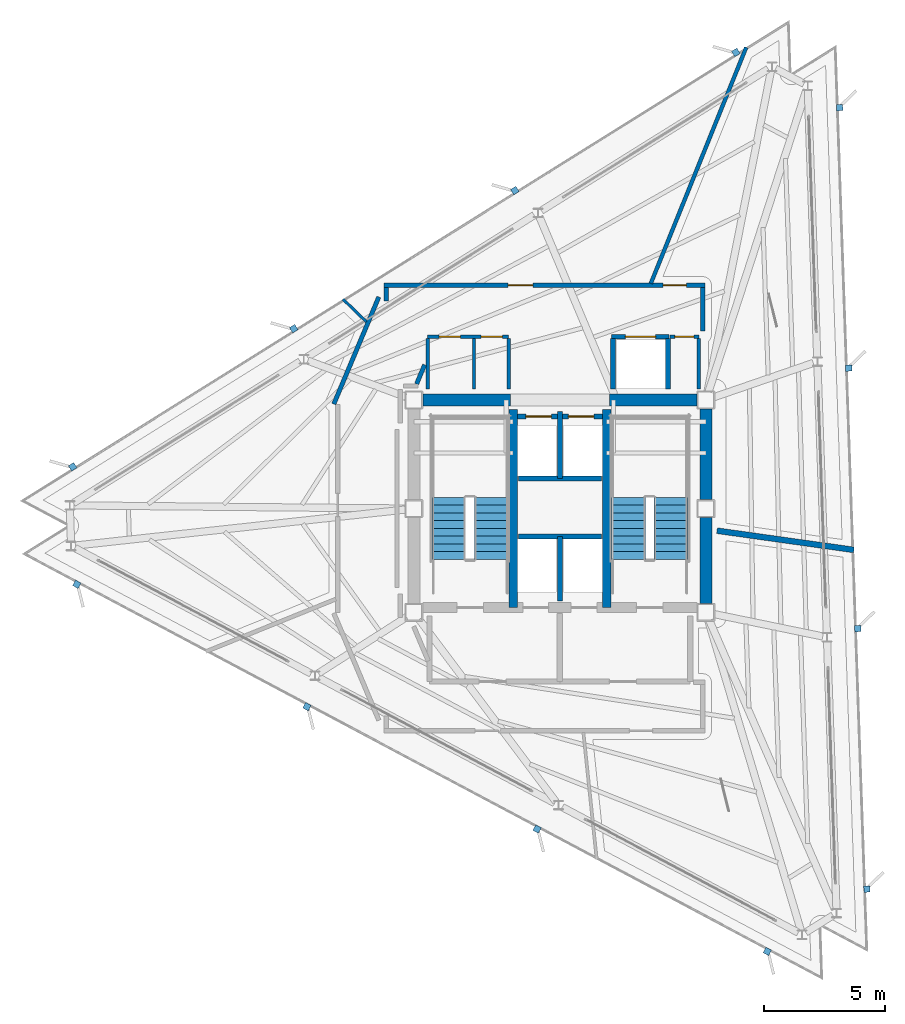
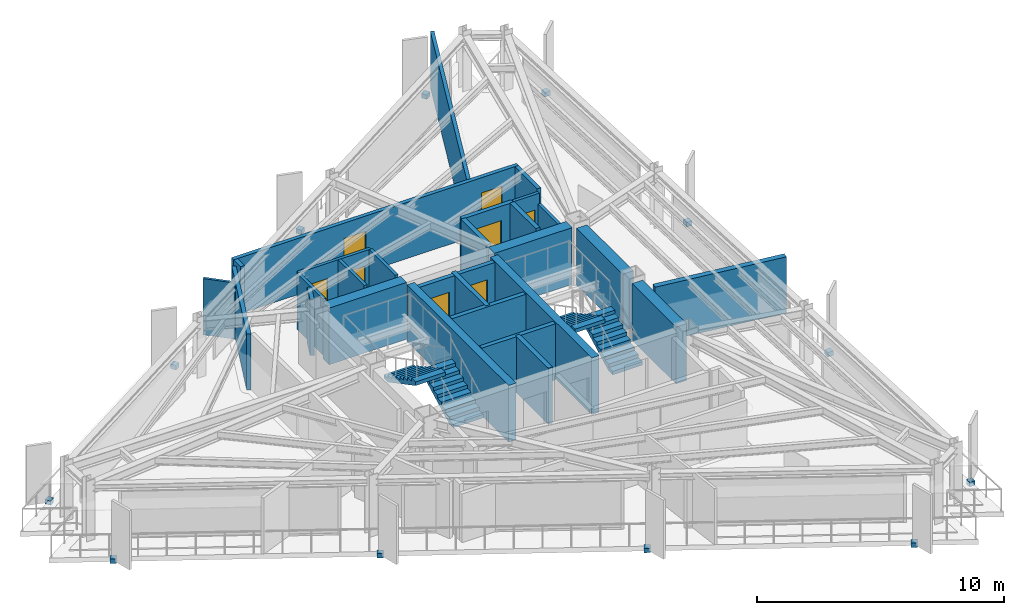
# One storey, part 9 of 12: 28 walls, 12 discrete accessories, 8 doors, 4 stair flights, 8 openings, 2 elements without a shape of their own.
"""IFC4 building model written with IfcOpenShell, lengths in metres."""

import ifcopenshell
import ifcopenshell.guid

model = None  # the IFC model being written
_history = None  # IfcOwnerHistory: only IFC2X3 demands one
_inside = {}  # id of a spatial element -> (the spatial element, [elements in it])
_under = {}  # id of a project, library or spatial element -> (it, [spatial elements below it])
_declared = {}  # id of a project -> (the project, [libraries it declares])
_typed = {}  # id of a type object -> (the type object, [elements of that type])
_made_of = {}  # id of a material, layer set ... -> (it, [elements and type objects made of it])


def new_model(schema):
    """Start an empty IFC model of exactly this schema.

    Asked for "IFC4X3", IfcOpenShell would pick the latest addendum, in which some entities
    have other attributes; the version numbers below select the first issue.
    IFC2X3 requires an IfcOwnerHistory on every rooted entity: one is made here for all.
    """
    global model, _history
    if schema == "IFC4X3":
        model = ifcopenshell.file(schema_version=(4, 3, 0, 0))
    else:
        model = ifcopenshell.file(schema=schema)
    _inside.clear()
    _under.clear()
    _declared.clear()
    _typed.clear()
    _made_of.clear()
    _history = None
    if model.schema == "IFC2X3":
        org = make("IfcOrganization", Name="unknown")
        user = make(
            "IfcPersonAndOrganization",
            ThePerson=make("IfcPerson", FamilyName="unknown"),
            TheOrganization=org,
        )
        app = make(
            "IfcApplication",
            ApplicationDeveloper=org,
            Version="unknown",
            ApplicationFullName="unknown",
            ApplicationIdentifier="unknown",
        )
        _history = make(
            "IfcOwnerHistory",
            OwningUser=user,
            OwningApplication=app,
            ChangeAction="ADDED",
            CreationDate=0,
        )
    return model


def make(cls, **values):
    """One entity of the class cls with the attributes given. An attribute that is None is left unset."""
    return model.create_entity(
        cls, **{name: value for name, value in values.items() if value is not None}
    )


def rooted(cls, **values):
    """An entity with a GlobalId (a new one), such as an element, a storey or a relation."""
    return make(cls, GlobalId=ifcopenshell.guid.new(), OwnerHistory=_history, **values)


def si_unit(unit_type, name, prefix=None):
    """IfcSIUnit, for example si_unit("LENGTHUNIT", "METRE", prefix="MILLI")."""
    return make("IfcSIUnit", UnitType=unit_type, Prefix=prefix, Name=name)


def assignment(units):
    """IfcUnitAssignment: the units of a project."""
    return None if units is None else make("IfcUnitAssignment", Units=units)


def point(xyz):
    """IfcCartesianPoint."""
    return None if xyz is None else make("IfcCartesianPoint", Coordinates=xyz)


def direction(xyz):
    """IfcDirection."""
    return None if xyz is None else make("IfcDirection", DirectionRatios=xyz)


def frame(location, z_axis=None, x_axis=None):
    """IfcAxis2Placement3D, a coordinate frame: its origin and axes. An axis left out is left unset."""
    return make(
        "IfcAxis2Placement3D",
        Location=point(location),
        Axis=direction(z_axis),
        RefDirection=direction(x_axis),
    )


def frame_2d(location, x_axis=None):
    """IfcAxis2Placement2D, a coordinate frame in the plane: its origin and x axis."""
    return make(
        "IfcAxis2Placement2D", Location=point(location), RefDirection=direction(x_axis)
    )


def origin():
    """The frame at (0, 0, 0) with its axes left unset."""
    return frame((0.0, 0.0, 0.0))


def origin_2d():
    """The frame at (0, 0) in the plane with its x axis left unset."""
    return frame_2d((0.0, 0.0))


def place(relative_to, where):
    """IfcLocalPlacement: puts the frame where relative to a parent placement (None: the world)."""
    return make(
        "IfcLocalPlacement", PlacementRelTo=relative_to, RelativePlacement=where
    )


def context(
    kind, dimensions, precision=None, world=None, true_north=None, identifier=None
):
    """IfcGeometricRepresentationContext, for example the 3D "Model" context."""
    return make(
        "IfcGeometricRepresentationContext",
        ContextIdentifier=identifier,
        ContextType=kind,
        CoordinateSpaceDimension=dimensions,
        Precision=precision,
        WorldCoordinateSystem=world,
        TrueNorth=true_north,
    )


def subcontext(parent, identifier, kind, view, scale=None):
    """IfcGeometricRepresentationSubContext, for example "Body" below "Model"."""
    return make(
        "IfcGeometricRepresentationSubContext",
        ContextIdentifier=identifier,
        ContextType=kind,
        ParentContext=parent,
        TargetScale=scale,
        TargetView=view,
    )


def project(units=None, contexts=None):
    """IfcProject with its units and contexts."""
    return rooted(
        "IfcProject",
        Name="project",
        RepresentationContexts=contexts,
        UnitsInContext=assignment(units),
    )


def spatial(cls, under=None, at=None, **own):
    """A site, building, storey or space (cls), placed at a placement, below another one or the project."""
    s = rooted(cls, ObjectPlacement=at, **own)
    if under is not None:
        _under.setdefault(under.id(), (under, []))[1].append(s)
    return s


def polyline(points):
    """IfcPolyline through the points."""
    return make("IfcPolyline", Points=[point(p) for p in points])


def profile(cls, at=None, kind="AREA", **sizes):
    """A parametric profile (cls). Its sizes go by their IFC names, for example OverallWidth=200.0."""
    return make(cls, ProfileType=kind, Position=at, **sizes)


def rectangle(**sizes):
    """IfcRectangleProfileDef."""
    return profile("IfcRectangleProfileDef", **sizes)


def outline(outer, holes=None, kind="AREA"):
    """IfcArbitraryClosedProfileDef: a profile drawn as a closed curve; with holes, ...WithVoids."""
    if holes is None:
        return make("IfcArbitraryClosedProfileDef", ProfileType=kind, OuterCurve=outer)
    return make(
        "IfcArbitraryProfileDefWithVoids",
        ProfileType=kind,
        OuterCurve=outer,
        InnerCurves=holes,
    )


def extrude(swept, where, along, depth):
    """IfcExtrudedAreaSolid: the profile swept, set in the frame where, extruded along a direction by depth."""
    return make(
        "IfcExtrudedAreaSolid",
        SweptArea=swept,
        Position=where,
        ExtrudedDirection=direction(along),
        Depth=depth,
    )


def shape(context_of_items, identifier, shape_type, items):
    """IfcShapeRepresentation: the items that make up one representation, for example the "Body"."""
    return make(
        "IfcShapeRepresentation",
        ContextOfItems=context_of_items,
        RepresentationIdentifier=identifier,
        RepresentationType=shape_type,
        Items=items,
    )


def material(Name=None, Category=None):
    """IfcMaterial."""
    return make("IfcMaterial", Name=Name, Category=Category)


def layer(
    of_material, thickness, ventilated=None, Name=None, Category=None, Priority=None
):
    """IfcMaterialLayer: one layer of a wall or slab, of a material (None: an air gap)."""
    return make(
        "IfcMaterialLayer",
        Material=of_material,
        LayerThickness=thickness,
        IsVentilated=ventilated,
        Name=Name,
        Category=Category,
        Priority=Priority,
    )


def layer_set(layers, Name=None):
    """IfcMaterialLayerSet."""
    return make("IfcMaterialLayerSet", MaterialLayers=layers, LayerSetName=Name)


def made_of(thing, what):
    """Note that an element or type object is made of a material, layer set ...; save() writes the relation."""
    if what is not None:
        _made_of.setdefault(what.id(), (what, []))[1].append(thing)
    return thing


def type_object(cls, material=None, **own):
    """A type object (cls), such as IfcWallType, which elements share."""
    return made_of(rooted(cls, **own), material)


def element(
    cls,
    number,
    at=None,
    inside=None,
    cuts=None,
    type_object=None,
    material=None,
    context=None,
    identifier="Body",
    shape_type=None,
    held_by="IfcProductDefinitionShape",
    body=None,
    shapes=None,
    **own,
):
    """One element of the class cls, such as IfcWall. Its Tag is "e" and its number.

    at: its placement. inside: the storey or other place that contains it. cuts: it is an
    opening in that element (IfcRelVoidsElement). A single representation is given by context,
    identifier, shape_type and body (its items); several are given by shapes. held_by: the class
    of the entity that holds the representations. save() writes the other relations.
    """
    e = rooted(cls, Tag="e%d" % number, ObjectPlacement=at, **own)
    if body is not None:
        shapes = [shape(context, identifier, shape_type, body)]
    if shapes is not None:
        e.Representation = make(held_by, Representations=shapes)
    if inside is not None:
        _inside.setdefault(inside.id(), (inside, []))[1].append(e)
    if cuts is not None:
        rooted(
            "IfcRelVoidsElement", RelatingBuildingElement=cuts, RelatedOpeningElement=e
        )
    if type_object is not None:
        _typed.setdefault(type_object.id(), (type_object, []))[1].append(e)
    return made_of(e, material)


def fill(opening, filler):
    """IfcRelFillsElement: the door or window that sits in an opening."""
    return rooted(
        "IfcRelFillsElement",
        RelatingOpeningElement=opening,
        RelatedBuildingElement=filler,
    )


def aggregate(whole, parts):
    """IfcRelAggregates: a whole, such as a stair, and the parts it consists of."""
    return rooted("IfcRelAggregates", RelatingObject=whole, RelatedObjects=parts)


def save(model, path):
    """Write the relations noted so far, then the file.

    IfcRelAggregates (storeys below a building ...), IfcRelContainedInSpatialStructure (elements
    in a storey), IfcRelDefinesByType, IfcRelAssociatesMaterial and IfcRelDeclares: one each for
    every whole, place, type object, material and project.
    """
    for whole, parts in _under.values():
        aggregate(whole, parts)
    for where, things in _inside.values():
        rooted(
            "IfcRelContainedInSpatialStructure",
            RelatedElements=things,
            RelatingStructure=where,
        )
    for kind, things in _typed.values():
        rooted("IfcRelDefinesByType", RelatedObjects=things, RelatingType=kind)
    for what, things in _made_of.values():
        rooted("IfcRelAssociatesMaterial", RelatedObjects=things, RelatingMaterial=what)
    for by, libraries in _declared.values():
        rooted("IfcRelDeclares", RelatingContext=by, RelatedDefinitions=libraries)
    model.write(path)


model = new_model("IFC4")

# Units and contexts
model_context = context("Model", 3, precision=1e-05, world=origin(), true_north=direction((0.0, 1.0)))
body_context = subcontext(model_context, "Body", "Model", "MODEL_VIEW")
ifc_project = project(units=[si_unit("LENGTHUNIT", "METRE"), si_unit("AREAUNIT", "SQUARE_METRE"), si_unit("VOLUMEUNIT", "CUBIC_METRE"), si_unit("PLANEANGLEUNIT", "RADIAN"), si_unit("MASSUNIT", "GRAM", prefix="KILO")], contexts=[model_context])

# Site, building, storey
site_placement = place(None, origin())
site = spatial("IfcSite", under=ifc_project, at=site_placement, CompositionType="ELEMENT")
building_placement = place(site_placement, origin())
building = spatial("IfcBuilding", under=site, at=building_placement, Name="Rocaltana Carrier Exchange", CompositionType="ELEMENT")
storey_placement = place(building_placement, frame((0.0, 0.0, 205.760009765625)))
storey = spatial("IfcBuildingStorey", under=building, at=storey_placement, Name="L65", CompositionType="ELEMENT", Elevation=205.760009765625)

# Walls
ifc_material_1 = material(Name="Double Acoustic Gypsum Partition", Category="gypsum")
ifc_layer_1 = layer(ifc_material_1, 0.159912109375)
ifc_layer_set_1 = layer_set([ifc_layer_1], Name="Double Acoustic Gypsum Partition")
wall_type_1 = type_object("IfcWallType", Name="Acoustic Studio Partition 160 EI60", PredefinedType="PARTITIONING", material=ifc_layer_set_1)
wall_1_placement = place(storey_placement, frame((3.76953125, 9.330078125, 0.0), z_axis=(0.0, 0.0, 1.0), x_axis=(0.374613070454, 0.927181237647, 0.0)))
element("IfcWall", 1, at=wall_1_placement, inside=storey, type_object=wall_type_1, Name="L65 Suite Divider Wall D4", PredefinedType="PARTITIONING", context=body_context, shape_type="SweptSolid", body=[
    extrude(rectangle(XDim=10.54736328125, YDim=0.159912109375, at=frame_2d((5.273681640625, 0.0))), origin(), (0.0, 0.0, 1.0), 2.77294921875),
])
ifc_material_2 = material(Name="Concrete C50/60", Category="concrete")
ifc_layer_2 = layer(ifc_material_2, 0.35009765625)
ifc_layer_set_2 = layer_set([ifc_layer_2], Name="Concrete C50/60")
wall_type_2 = type_object("IfcWallType", Name="Core Internal Shear Wall 350", PredefinedType="SHEAR", material=ifc_layer_set_2)
for number, where, z_axis, x_axis, name in (
    (2, (-1.93994140625, -4.10009765625, 0.0), (0.0, 0.0, 1.0), (0.0, 1.0, 0.0), "L65 Core Shear Wall CW-STW"),
    (3, (1.93994140625, -4.10009765625, 0.0), (0.0, 0.0, 1.0), (0.0, 1.0, 0.0), "L65 Core Shear Wall CW-STE"),
):
    element("IfcWall", number, at=place(storey_placement, frame(where, z_axis=z_axis, x_axis=x_axis)), inside=storey, type_object=wall_type_2, Name=name, PredefinedType="SHEAR", context=body_context, shape_type="SweptSolid", body=[
        extrude(rectangle(XDim=8.2001953125, YDim=0.35009765625, at=frame_2d((4.10009765625, 0.0))), origin(), (0.0, 0.0, 1.0), 2.798095703125),
    ])
ifc_material_3 = material(Name="Concrete C50/60", Category="concrete")
ifc_layer_3 = layer(ifc_material_3, 0.5)
ifc_layer_set_3 = layer_set([ifc_layer_3], Name="Concrete C50/60")
wall_type_3 = type_object("IfcWallType", Name="Core Shear Wall 500", PredefinedType="SHEAR", material=ifc_layer_set_3)
wall_2_placement = place(storey_placement, frame((6.050048828125, 0.375, 0.0), z_axis=(0.0, 0.0, 1.0), x_axis=(0.0, 1.0, 0.0)))
element("IfcWall", 4, at=wall_2_placement, inside=storey, type_object=wall_type_3, Name="L65 Core Shear Wall CW-EN", PredefinedType="SHEAR", context=body_context, shape_type="SweptSolid", body=[
    extrude(rectangle(XDim=3.75, YDim=0.5, at=frame_2d((1.875, 0.0))), origin(), (0.0, 0.0, 1.0), 2.798095703125),
])
wall_3_placement = place(storey_placement, frame((6.050048828125, -3.925048828125, 0.0), z_axis=(0.0, 0.0, 1.0), x_axis=(0.0, 1.0, 0.0)))
element("IfcWall", 5, at=wall_3_placement, inside=storey, type_object=wall_type_3, Name="L65 Core Shear Wall CW-ES", PredefinedType="SHEAR", context=body_context, shape_type="SweptSolid", body=[
    extrude(rectangle(XDim=3.550048828125, YDim=0.5, at=frame_2d((1.77490234375, 0.0))), origin(), (0.0, 0.0, 1.0), 2.798095703125),
])
for number, where, z_axis, x_axis, name in (
    (6, (-5.675048828125, 4.5, 0.0), (0.0, 0.0, 1.0), (1.0, 0.0, 0.0), "L65 Core Shear Wall CW-N1"),
    (7, (2.050048828125, 4.5, 0.0), (0.0, 0.0, 1.0), (1.0, 0.0, 0.0), "L65 Core Shear Wall CW-N2"),
):
    element("IfcWall", number, at=place(storey_placement, frame(where, z_axis=z_axis, x_axis=x_axis)), inside=storey, type_object=wall_type_3, Name=name, PredefinedType="SHEAR", context=body_context, shape_type="SweptSolid", body=[
        extrude(rectangle(XDim=3.625, YDim=0.5, at=frame_2d((1.8125, 0.0))), origin(), (0.0, 0.0, 1.0), 2.798095703125),
    ])
ifc_material_4 = material(Name="Gypsum & Steel Stud Partition", Category="steel")
ifc_layer_4 = layer(ifc_material_4, 0.179931640625)
ifc_layer_set_4 = layer_set([ifc_layer_4], Name="Gypsum & Steel Stud Partition")
wall_type_4 = type_object("IfcWallType", Name="Corridor Fire Partition 180 EI60", PredefinedType="PARTITIONING", material=ifc_layer_set_4)
wall_4_placement = place(storey_placement, frame((-9.36669921875, 4.331787109375, 0.0), z_axis=(0.0, 0.0, 1.0), x_axis=(0.387573945081, 0.921838617706, 0.0)))
element("IfcWall", 8, at=wall_4_placement, inside=storey, type_object=wall_type_4, Name="L65 Corridor Partition 3", PredefinedType="PARTITIONING", context=body_context, shape_type="SweptSolid", body=[
    extrude(rectangle(XDim=4.813232421875, YDim=0.179931640625, at=frame_2d((2.40673828125, 0.0))), origin(), (0.0, 0.0, 1.0), 2.77294921875),
])
wall_5_placement = place(storey_placement, frame((-7.199951171875, 8.6005859375, 0.0), z_axis=(0.0, 0.0, 1.0), x_axis=(0.0, 1.0, 0.0)))
element("IfcWall", 9, at=wall_5_placement, inside=storey, type_object=wall_type_4, Name="L65 Corridor Partition 4", PredefinedType="PARTITIONING", context=body_context, shape_type="SweptSolid", body=[
    extrude(rectangle(XDim=0.559326171875, YDim=0.179931640625, at=frame_2d((0.27978515625, 0.0))), origin(), (0.0, 0.0, 1.0), 2.77294921875),
])

# Wall, openings, doors
wall_6_placement = place(storey_placement, frame((-7.2900390625, 9.25, 0.0), z_axis=(0.0, 0.0, 1.0), x_axis=(1.0, 0.0, 0.0)))
wall_6 = element("IfcWall", 10, at=wall_6_placement, inside=storey, type_object=wall_type_4, Name="L65 Corridor Partition 5", PredefinedType="PARTITIONING", context=body_context, shape_type="SweptSolid", body=[
    extrude(rectangle(XDim=13.300048828125, YDim=0.179931640625, at=frame_2d((6.64990234375, 0.0))), origin(), (0.0, 0.0, 1.0), 2.77294921875),
])
opening_1_placement = place(wall_6_placement, frame((11.57275390625, 0.0, 0.0)))
opening_1 = element("IfcOpeningElement", 11, at=opening_1_placement, cuts=wall_6, Name="Opening D-RM098", PredefinedType="OPENING", context=body_context, shape_type="SweptSolid", body=[
    extrude(rectangle(XDim=0.9599609375, YDim=2.02001953125, at=frame_2d((0.47998046875, 1.010009765625))), frame((0.0, 0.099853515625, 0.0), z_axis=(0.0, -1.0, 0.0), x_axis=(1.0, 0.0, 0.0)), (0.0, 0.0, 1.0), 0.199951171875),
])
opening_2_placement = place(wall_6_placement, frame((5.149169921875, 0.0, 0.0)))
opening_2 = element("IfcOpeningElement", 12, at=opening_2_placement, cuts=wall_6, Name="Opening D-LB104", PredefinedType="OPENING", context=body_context, shape_type="SweptSolid", body=[
    extrude(rectangle(XDim=1.02001953125, YDim=2.02001953125, at=frame_2d((0.510009765625, 1.010009765625))), frame((0.0, 0.099853515625, 0.0), z_axis=(0.0, -1.0, 0.0), x_axis=(1.0, 0.0, 0.0)), (0.0, 0.0, 1.0), 0.199951171875),
])
ifc_material_5 = material(Name="Powder-Coated Aluminium 6063-T6", Category="aluminium")
door_type_1 = type_object("IfcDoorType", Name="Laboratory Acoustic Door 1020x2020", OperationType="NOTDEFINED", PredefinedType="DOOR", material=ifc_material_5)
door_1_placement = place(opening_2_placement, origin())
door_1 = element("IfcDoor", 13, at=door_1_placement, inside=storey, type_object=door_type_1, Name="L65 Optical Switching Laboratory Entrance Door", OperationType="SINGLE_SWING_RIGHT", OverallHeight=2.02001953125, OverallWidth=1.02001953125, PredefinedType="DOOR", context=body_context, shape_type="SweptSolid", body=[
    extrude(rectangle(XDim=1.02001953125, YDim=2.02001953125, at=frame_2d((0.510009765625, 1.010009765625))), frame((0.0, 0.02490234375, 0.0), z_axis=(0.0, -1.0, 0.0), x_axis=(1.0, 0.0, 0.0)), (0.0, 0.0, 1.0), 0.050048828125),
])
fill(opening_2, door_1)
ifc_material_6 = material(Name="Engineered Hardwood Timber", Category="wood")
door_type_2 = type_object("IfcDoorType", Name="Workspace Single Door 960x2020", OperationType="NOTDEFINED", PredefinedType="DOOR", material=ifc_material_6)
door_2_placement = place(opening_1_placement, origin())
door_2 = element("IfcDoor", 14, at=door_2_placement, inside=storey, type_object=door_type_2, Name="L65 Cloud Architecture Office Entrance Door", OperationType="SINGLE_SWING_LEFT", OverallHeight=2.02001953125, OverallWidth=0.9599609375, PredefinedType="DOOR", context=body_context, shape_type="SweptSolid", body=[
    extrude(rectangle(XDim=0.9599609375, YDim=2.02001953125, at=frame_2d((0.47998046875, 1.010009765625))), frame((0.0, 0.02490234375, 0.0), z_axis=(0.0, -1.0, 0.0), x_axis=(1.0, 0.0, 0.0)), (0.0, 0.0, 1.0), 0.050048828125),
])
fill(opening_1, door_2)

# Walls
wall_7_placement = place(storey_placement, frame((5.919921875, 9.159912109375, 0.0), z_axis=(0.0, 0.0, 1.0), x_axis=(0.0, -1.0, 0.0)))
element("IfcWall", 15, at=wall_7_placement, inside=storey, type_object=wall_type_4, Name="L65 Corridor Partition 6", PredefinedType="PARTITIONING", context=body_context, shape_type="SweptSolid", body=[
    extrude(rectangle(XDim=1.7998046875, YDim=0.179931640625, at=frame_2d((0.89990234375, 0.0))), origin(), (0.0, 0.0, 1.0), 2.77294921875),
])
wall_8_placement = place(storey_placement, frame((-5.602294921875, 5.9580078125, 0.0), z_axis=(0.0, 0.0, 1.0), x_axis=(-0.387588639363, -0.921832439566, 0.0)))
element("IfcWall", 16, at=wall_8_placement, inside=storey, type_object=wall_type_4, Name="L65 Corridor Partition 8", PredefinedType="PARTITIONING", context=body_context, shape_type="SweptSolid", body=[
    extrude(rectangle(XDim=0.8623046875, YDim=0.179931640625, at=frame_2d((0.43115234375, 0.0))), origin(), (0.0, 0.0, 1.0), 2.77294921875),
])
ifc_material_7 = material(Name="Aluminium 6063-T6 & Acoustic Glass", Category="aluminium")
ifc_layer_5 = layer(ifc_material_7, 0.114990234375)
ifc_layer_set_5 = layer_set([ifc_layer_5], Name="Aluminium 6063-T6 & Acoustic Glass")
wall_type_5 = type_object("IfcWallType", Name="Demountable Glazed Lab Partition 115", PredefinedType="MOVABLE", material=ifc_layer_set_5)
wall_9_placement = place(storey_placement, frame((-8.01904296875, 7.743896484375, 0.0), z_axis=(0.0, 0.0, 1.0), x_axis=(-0.719319685721, 0.694679199151, 0.0)))
element("IfcWall", 17, at=wall_9_placement, inside=storey, type_object=wall_type_5, Name="L65 Suite Divider Wall D5", PredefinedType="MOVABLE", context=body_context, shape_type="SweptSolid", body=[
    extrude(rectangle(XDim=1.337646484375, YDim=0.114990234375, at=frame_2d((0.6689453125, 0.0))), origin(), (0.0, 0.0, 1.0), 2.77294921875),
])
ifc_material_8 = material(Name="Acoustic Calcium Silicate Partition", Category="gypsum")
ifc_layer_6 = layer(ifc_material_8, 0.239990234375)
ifc_layer_set_6 = layer_set([ifc_layer_6], Name="Acoustic Calcium Silicate Partition")
wall_type_6 = type_object("IfcWallType", Name="Heavy Lab Partition 240 EI90", PredefinedType="PARTITIONING", material=ifc_layer_set_6)
wall_10_placement = place(storey_placement, frame((6.510009765625, -0.914794921875, 0.0), z_axis=(0.0, 0.0, 1.0), x_axis=(0.990267505523, -0.139177108413, 0.0)))
element("IfcWall", 18, at=wall_10_placement, inside=storey, type_object=wall_type_6, Name="L65 Suite Divider Wall D3", PredefinedType="PARTITIONING", context=body_context, shape_type="SweptSolid", body=[
    extrude(rectangle(XDim=5.727294921875, YDim=0.239990234375, at=frame_2d((2.86376953125, 0.0))), origin(), (0.0, 0.0, 1.0), 2.77294921875),
])
ifc_material_9 = material(Name="Reinforced Concrete Block C35/45", Category="concrete")
ifc_layer_7 = layer(ifc_material_9, 0.199951171875)
ifc_layer_set_7 = layer_set([ifc_layer_7], Name="Reinforced Concrete Block C35/45")
wall_type_7 = type_object("IfcWallType", Name="Lift Hoistway Enclosure Wall 200 EI120", PredefinedType="PARTITIONING", material=ifc_layer_set_7)
wall_11_placement = place(storey_placement, frame((0.0, -3.820068359375, 0.0), z_axis=(0.0, 0.0, 1.0), x_axis=(0.0, 1.0, 0.0)))
element("IfcWall", 19, at=wall_11_placement, inside=storey, type_object=wall_type_7, Name="L65 FFL Shaft Divider", PredefinedType="PARTITIONING", context=body_context, shape_type="SweptSolid", body=[
    extrude(rectangle(XDim=2.670166015625, YDim=0.199951171875, at=frame_2d((1.3349609375, 0.0))), origin(), (0.0, 0.0, 1.0), 2.77294921875),
])
wall_12_placement = place(storey_placement, frame((-1.719970703125, -1.14990234375, 0.0), z_axis=(0.0, 0.0, 1.0), x_axis=(1.0, 0.0, 0.0)))
element("IfcWall", 20, at=wall_12_placement, inside=storey, type_object=wall_type_7, Name="L65 FFL Shaft Back Wall", PredefinedType="PARTITIONING", context=body_context, shape_type="SweptSolid", body=[
    extrude(rectangle(XDim=3.43994140625, YDim=0.199951171875, at=frame_2d((1.719970703125, 0.0))), origin(), (0.0, 0.0, 1.0), 2.77294921875),
])
wall_13_placement = place(storey_placement, frame((0.0, 1.25, 0.0), z_axis=(0.0, 0.0, 1.0), x_axis=(0.0, 1.0, 0.0)))
element("IfcWall", 21, at=wall_13_placement, inside=storey, type_object=wall_type_7, Name="L65 High-Rise Shaft Divider", PredefinedType="PARTITIONING", context=body_context, shape_type="SweptSolid", body=[
    extrude(rectangle(XDim=2.77001953125, YDim=0.199951171875, at=frame_2d((1.385009765625, 0.0))), origin(), (0.0, 0.0, 1.0), 2.77294921875),
])
wall_14_placement = place(storey_placement, frame((-1.719970703125, 1.25, 0.0), z_axis=(0.0, 0.0, 1.0), x_axis=(1.0, 0.0, 0.0)))
element("IfcWall", 22, at=wall_14_placement, inside=storey, type_object=wall_type_7, Name="L65 High-Rise Shaft Back Wall", PredefinedType="PARTITIONING", context=body_context, shape_type="SweptSolid", body=[
    extrude(rectangle(XDim=3.43994140625, YDim=0.199951171875, at=frame_2d((1.719970703125, 0.0))), origin(), (0.0, 0.0, 1.0), 2.77294921875),
])

# Wall, openings, doors
wall_15_placement = place(storey_placement, frame((-1.760009765625, 3.820068359375, 0.0), z_axis=(0.0, 0.0, 1.0), x_axis=(1.0, 0.0, 0.0)))
wall_15 = element("IfcWall", 23, at=wall_15_placement, inside=storey, type_object=wall_type_7, Name="L65 High-Rise Lift Front Wall", PredefinedType="PARTITIONING", context=body_context, shape_type="SweptSolid", body=[
    extrude(rectangle(XDim=3.52001953125, YDim=0.199951171875, at=frame_2d((1.760009765625, 0.0))), origin(), (0.0, 0.0, 1.0), 2.77294921875),
])
opening_3_placement = place(wall_15_placement, frame((0.35009765625, 0.0, 0.0)))
opening_3 = element("IfcOpeningElement", 24, at=opening_3_placement, cuts=wall_15, Name="Opening LD-110", PredefinedType="OPENING", context=body_context, shape_type="SweptSolid", body=[
    extrude(rectangle(XDim=1.06005859375, YDim=2.0400390625, at=frame_2d((0.530029296875, 1.02001953125))), frame((0.0, 0.10986328125, 0.0), z_axis=(0.0, -1.0, 0.0), x_axis=(1.0, 0.0, 0.0)), (0.0, 0.0, 1.0), 0.219970703125),
])
opening_4_placement = place(wall_15_placement, frame((2.110107421875, 0.0, 0.0)))
opening_4 = element("IfcOpeningElement", 25, at=opening_4_placement, cuts=wall_15, Name="Opening LD-110", PredefinedType="OPENING", context=body_context, shape_type="SweptSolid", body=[
    extrude(rectangle(XDim=1.06005859375, YDim=2.0400390625, at=frame_2d((0.530029296875, 1.02001953125))), frame((0.0, 0.10986328125, 0.0), z_axis=(0.0, -1.0, 0.0), x_axis=(1.0, 0.0, 0.0)), (0.0, 0.0, 1.0), 0.219970703125),
])
ifc_material_10 = material(Name="Brushed Stainless Sliding Door Leaf", Category="steel")
door_type_3 = type_object("IfcDoorType", Name="Lift Landing Sliding Door 1060x2040", OperationType="NOTDEFINED", PredefinedType="DOOR", material=ifc_material_10)
door_3_placement = place(opening_3_placement, origin())
door_3 = element("IfcDoor", 26, at=door_3_placement, inside=storey, type_object=door_type_3, Name="L65 High-Rise Lift PLH1 Landing Door", OperationType="SLIDING_TO_LEFT", OverallHeight=2.0400390625, OverallWidth=1.06005859375, PredefinedType="DOOR", context=body_context, shape_type="SweptSolid", body=[
    extrude(rectangle(XDim=1.06005859375, YDim=2.0400390625, at=frame_2d((0.530029296875, 1.02001953125))), frame((0.0, 0.02490234375, 0.0), z_axis=(0.0, -1.0, 0.0), x_axis=(1.0, 0.0, 0.0)), (0.0, 0.0, 1.0), 0.050048828125),
])
fill(opening_3, door_3)
door_4_placement = place(opening_4_placement, origin())
door_4 = element("IfcDoor", 27, at=door_4_placement, inside=storey, type_object=door_type_3, Name="L65 High-Rise Lift PLH2 Landing Door", OperationType="SLIDING_TO_RIGHT", OverallHeight=2.0400390625, OverallWidth=1.06005859375, PredefinedType="DOOR", context=body_context, shape_type="SweptSolid", body=[
    extrude(rectangle(XDim=1.06005859375, YDim=2.0400390625, at=frame_2d((0.530029296875, 1.02001953125))), frame((0.0, 0.02490234375, 0.0), z_axis=(0.0, -1.0, 0.0), x_axis=(1.0, 0.0, 0.0)), (0.0, 0.0, 1.0), 0.050048828125),
])
fill(opening_4, door_4)

# Walls
for number, where, z_axis, x_axis, name in (
    (28, (2.199951171875, 4.949951171875, 0.0), (0.0, 0.0, 1.0), (0.0, 1.0, 0.0), "L65 Goods Lift West Wall"),
    (29, (4.47998046875, 4.949951171875, 0.0), (0.0, 0.0, 1.0), (0.0, 1.0, 0.0), "L65 Goods Lift East Wall"),
):
    element("IfcWall", number, at=place(storey_placement, frame(where, z_axis=z_axis, x_axis=x_axis)), inside=storey, type_object=wall_type_7, Name=name, PredefinedType="PARTITIONING", context=body_context, shape_type="SweptSolid", body=[
        extrude(rectangle(XDim=2.10009765625, YDim=0.199951171875, at=frame_2d((1.050048828125, 0.0))), origin(), (0.0, 0.0, 1.0), 2.77294921875),
    ])

# Wall, opening, door
wall_16_placement = place(storey_placement, frame((2.14990234375, 7.1201171875, 0.0), z_axis=(0.0, 0.0, 1.0), x_axis=(1.0, 0.0, 0.0)))
wall_16 = element("IfcWall", 30, at=wall_16_placement, inside=storey, type_object=wall_type_7, Name="L65 Goods Lift Front Wall", PredefinedType="PARTITIONING", context=body_context, shape_type="SweptSolid", body=[
    extrude(rectangle(XDim=2.380126953125, YDim=0.199951171875, at=frame_2d((1.18994140625, 0.0))), origin(), (0.0, 0.0, 1.0), 2.77294921875),
])
opening_5_placement = place(wall_16_placement, frame((0.56005859375, 0.0, 0.0)))
opening_5 = element("IfcOpeningElement", 31, at=opening_5_placement, cuts=wall_16, Name="Opening LD-130", PredefinedType="OPENING", context=body_context, shape_type="SweptSolid", body=[
    extrude(rectangle(XDim=1.260009765625, YDim=2.06005859375, at=frame_2d((0.6298828125, 1.030029296875))), frame((0.0, 0.10986328125, 0.0), z_axis=(0.0, -1.0, 0.0), x_axis=(1.0, 0.0, 0.0)), (0.0, 0.0, 1.0), 0.219970703125),
])
ifc_material_11 = material(Name="Brushed Stainless Sliding Door Leaf", Category="steel")
door_type_4 = type_object("IfcDoorType", Name="Goods Lift Landing Sliding Door 1260x2060", OperationType="NOTDEFINED", PredefinedType="DOOR", material=ifc_material_11)
door_5_placement = place(opening_5_placement, origin())
door_5 = element("IfcDoor", 32, at=door_5_placement, inside=storey, type_object=door_type_4, Name="L65 Goods Lift GL-1 Landing Door", OperationType="SLIDING_TO_LEFT", OverallHeight=2.06005859375, OverallWidth=1.260009765625, PredefinedType="DOOR", context=body_context, shape_type="SweptSolid", body=[
    extrude(rectangle(XDim=1.260009765625, YDim=2.06005859375, at=frame_2d((0.6298828125, 1.030029296875))), frame((0.0, 0.02490234375, 0.0), z_axis=(0.0, -1.0, 0.0), x_axis=(1.0, 0.0, 0.0)), (0.0, 0.0, 1.0), 0.050048828125),
])
fill(opening_5, door_5)

# Walls
ifc_material_12 = material(Name="Moisture-Resistant Masonry C30/37", Category="masonry")
ifc_layer_8 = layer(ifc_material_12, 0.139892578125)
ifc_layer_set_8 = layer_set([ifc_layer_8], Name="Moisture-Resistant Masonry C30/37")
wall_type_8 = type_object("IfcWallType", Name="Wet-Area Sanitary Partition 140", PredefinedType="PARTITIONING", material=ifc_layer_set_8)
for number, where, z_axis, x_axis, name in (
    (33, (-5.47998046875, 4.949951171875, 0.0), (0.0, 0.0, 1.0), (0.0, 1.0, 0.0), "L65 Sanitary West Wall"),
    (34, (-3.56005859375, 4.949951171875, 0.0), (0.0, 0.0, 1.0), (0.0, 1.0, 0.0), "L65 Sanitary Divider"),
    (35, (-2.1201171875, 4.949951171875, 0.0), (0.0, 0.0, 1.0), (0.0, 1.0, 0.0), "L65 Sanitary East Wall"),
):
    element("IfcWall", number, at=place(storey_placement, frame(where, z_axis=z_axis, x_axis=x_axis)), inside=storey, type_object=wall_type_8, Name=name, PredefinedType="PARTITIONING", context=body_context, shape_type="SweptSolid", body=[
        extrude(rectangle(XDim=2.10009765625, YDim=0.139892578125, at=frame_2d((1.050048828125, 0.0))), origin(), (0.0, 0.0, 1.0), 2.77294921875),
    ])

# Wall, openings, doors
wall_17_placement = place(storey_placement, frame((-5.47998046875, 7.1201171875, 0.0), z_axis=(0.0, 0.0, 1.0), x_axis=(1.0, 0.0, 0.0)))
wall_17 = element("IfcWall", 36, at=wall_17_placement, inside=storey, type_object=wall_type_8, Name="L65 Sanitary North Wall", PredefinedType="PARTITIONING", context=body_context, shape_type="SweptSolid", body=[
    extrude(rectangle(XDim=3.35986328125, YDim=0.139892578125, at=frame_2d((1.679931640625, 0.0))), origin(), (0.0, 0.0, 1.0), 2.77294921875),
])
opening_6_placement = place(wall_17_placement, frame((0.47998046875, 0.0, 0.0)))
opening_6 = element("IfcOpeningElement", 37, at=opening_6_placement, cuts=wall_17, Name="Opening D-WC090", PredefinedType="OPENING", context=body_context, shape_type="SweptSolid", body=[
    extrude(rectangle(XDim=0.8798828125, YDim=2.02001953125, at=frame_2d((0.43994140625, 1.010009765625))), frame((0.0, 0.079833984375, 0.0), z_axis=(0.0, -1.0, 0.0), x_axis=(1.0, 0.0, 0.0)), (0.0, 0.0, 1.0), 0.159912109375),
])
opening_7_placement = place(wall_17_placement, frame((2.219970703125, 0.0, 0.0)))
opening_7 = element("IfcOpeningElement", 38, at=opening_7_placement, cuts=wall_17, Name="Opening D-WC090", PredefinedType="OPENING", context=body_context, shape_type="SweptSolid", body=[
    extrude(rectangle(XDim=0.8798828125, YDim=2.02001953125, at=frame_2d((0.43994140625, 1.010009765625))), frame((0.0, 0.079833984375, 0.0), z_axis=(0.0, -1.0, 0.0), x_axis=(1.0, 0.0, 0.0)), (0.0, 0.0, 1.0), 0.159912109375),
])
ifc_material_13 = material(Name="High-Pressure Laminate Timber", Category="wood")
door_type_5 = type_object("IfcDoorType", Name="Restroom & Accessible WC Door 880x2020", OperationType="NOTDEFINED", PredefinedType="DOOR", material=ifc_material_13)
door_6_placement = place(opening_6_placement, origin())
door_6 = element("IfcDoor", 39, at=door_6_placement, inside=storey, type_object=door_type_5, Name="L65 Accessible Toilet Door", OperationType="SINGLE_SWING_RIGHT", OverallHeight=2.02001953125, OverallWidth=0.8798828125, PredefinedType="DOOR", context=body_context, shape_type="SweptSolid", body=[
    extrude(rectangle(XDim=0.8798828125, YDim=2.02001953125, at=frame_2d((0.43994140625, 1.010009765625))), frame((0.0, 0.02490234375, 0.0), z_axis=(0.0, -1.0, 0.0), x_axis=(1.0, 0.0, 0.0)), (0.0, 0.0, 1.0), 0.050048828125),
])
fill(opening_6, door_6)
door_7_placement = place(opening_7_placement, origin())
door_7 = element("IfcDoor", 40, at=door_7_placement, inside=storey, type_object=door_type_5, Name="L65 Staff Restroom Door", OperationType="SINGLE_SWING_LEFT", OverallHeight=2.02001953125, OverallWidth=0.8798828125, PredefinedType="DOOR", context=body_context, shape_type="SweptSolid", body=[
    extrude(rectangle(XDim=0.8798828125, YDim=2.02001953125, at=frame_2d((0.43994140625, 1.010009765625))), frame((0.0, 0.02490234375, 0.0), z_axis=(0.0, -1.0, 0.0), x_axis=(1.0, 0.0, 0.0)), (0.0, 0.0, 1.0), 0.050048828125),
])
fill(opening_7, door_7)

# Wall
wall_18_placement = place(storey_placement, frame((5.760009765625, 4.949951171875, 0.0), z_axis=(0.0, 0.0, 1.0), x_axis=(0.0, 1.0, 0.0)))
element("IfcWall", 41, at=wall_18_placement, inside=storey, type_object=wall_type_8, Name="L65 Riser East Wall", PredefinedType="PARTITIONING", context=body_context, shape_type="SweptSolid", body=[
    extrude(rectangle(XDim=2.10009765625, YDim=0.139892578125, at=frame_2d((1.050048828125, 0.0))), origin(), (0.0, 0.0, 1.0), 2.2529296875),
])

# Wall, opening, door
wall_19_placement = place(storey_placement, frame((4.56005859375, 7.1201171875, 0.0), z_axis=(0.0, 0.0, 1.0), x_axis=(1.0, 0.0, 0.0)))
wall_19 = element("IfcWall", 42, at=wall_19_placement, inside=storey, type_object=wall_type_8, Name="L65 Riser North Wall", PredefinedType="PARTITIONING", context=body_context, shape_type="SweptSolid", body=[
    extrude(rectangle(XDim=1.199951171875, YDim=0.139892578125, at=frame_2d((0.60009765625, 0.0))), origin(), (0.0, 0.0, 1.0), 2.77294921875),
])
opening_8_placement = place(wall_19_placement, frame((0.2099609375, 0.0, 0.0)))
opening_8 = element("IfcOpeningElement", 43, at=opening_8_placement, cuts=wall_19, Name="Opening D-RS082", PredefinedType="OPENING", context=body_context, shape_type="SweptSolid", body=[
    extrude(rectangle(XDim=0.780029296875, YDim=2.010009765625, at=frame_2d((0.39013671875, 1.0048828125))), frame((0.0, 0.079833984375, 0.0), z_axis=(0.0, -1.0, 0.0), x_axis=(1.0, 0.0, 0.0)), (0.0, 0.0, 1.0), 0.159912109375),
])
ifc_material_14 = material(Name="Hollow Metal Access Door Leaf", Category="steel")
door_type_6 = type_object("IfcDoorType", Name="Riser & Service Closet Door 780x2010", OperationType="NOTDEFINED", PredefinedType="DOOR", material=ifc_material_14)
door_8_placement = place(opening_8_placement, origin())
door_8 = element("IfcDoor", 44, at=door_8_placement, inside=storey, type_object=door_type_6, Name="L65 Fibre Riser Closet Door", OperationType="SINGLE_SWING_RIGHT", OverallHeight=2.010009765625, OverallWidth=0.780029296875, PredefinedType="DOOR", context=body_context, shape_type="SweptSolid", body=[
    extrude(rectangle(XDim=0.780029296875, YDim=2.010009765625, at=frame_2d((0.39013671875, 1.0048828125))), frame((0.0, 0.02490234375, 0.0), z_axis=(0.0, -1.0, 0.0), x_axis=(1.0, 0.0, 0.0)), (0.0, 0.0, 1.0), 0.050048828125),
])
fill(opening_8, door_8)

# Stair, stair flights
ifc_material_15 = material(Name="Precast concrete C45/55", Category="concrete")
stair_type = type_object("IfcStairType", Name="Standard Dog-Leg Stair 160", PredefinedType="HALF_TURN_STAIR", material=ifc_material_15)
stair_1_placement = place(storey_placement, origin())
stair_1 = element("IfcStair", 45, at=stair_1_placement, inside=storey, type_object=stair_type, Name="L65 Core West Exit Stair ST-1", PredefinedType="HALF_TURN_STAIR")
ifc_material_16 = material(Name="Precast concrete C45/55", Category="concrete")
stair_flight_type = type_object("IfcStairFlightType", Name="Precast Stair Flight 160", PredefinedType="STRAIGHT", material=ifc_material_16)
stair_flight_1_placement = place(storey_placement, frame((-2.840087890625, -2.10009765625, 0.0), z_axis=(0.0, 0.0, 1.0), x_axis=(0.0, 1.0, 0.0)))
stair_flight_1 = element("IfcStairFlight", 46, at=stair_flight_1_placement, type_object=stair_flight_type, Name="ST-1 flight 1", NumberOfRisers=9, NumberOfTreads=8, PredefinedType="STRAIGHT", RiserHeight=0.168888889, TreadLength=0.32, context=body_context, shape_type="SweptSolid", body=[
    extrude(outline(polyline([(0.0, 0.0), (0.0, 0.1689453125), (0.320068359375, 0.1689453125), (0.320068359375, 0.337890625), (0.639892578125, 0.337890625), (0.639892578125, 0.506591796875), (0.9599609375, 0.506591796875), (0.9599609375, 0.675537109375), (1.280029296875, 0.675537109375), (1.280029296875, 0.844482421875), (1.60009765625, 0.844482421875), (1.60009765625, 1.013427734375), (1.919921875, 1.013427734375), (1.919921875, 1.18212890625), (2.239990234375, 1.18212890625), (2.239990234375, 1.35107421875), (2.56005859375, 1.35107421875), (2.56005859375, 1.52001953125), (2.56005859375, 1.17041015625), (0.342529296875, 0.0), (0.0, 0.0)])), frame((0.0, 0.699951171875, 0.0), z_axis=(0.0, -1.0, 0.0), x_axis=(1.0, 0.0, 0.0)), (0.0, 0.0, 1.0), 1.39990234375),
])
stair_flight_2_placement = place(storey_placement, frame((-4.60009765625, 0.4599609375, 1.52001953125), z_axis=(0.0, 0.0, 1.0), x_axis=(0.0, -1.0, 0.0)))
stair_flight_2 = element("IfcStairFlight", 47, at=stair_flight_2_placement, type_object=stair_flight_type, Name="ST-1 flight 2", NumberOfRisers=9, NumberOfTreads=8, PredefinedType="STRAIGHT", RiserHeight=0.168888889, TreadLength=0.32, context=body_context, shape_type="SweptSolid", body=[
    extrude(outline(polyline([(0.0, 0.0), (0.0, 0.1689453125), (0.320068359375, 0.1689453125), (0.320068359375, 0.337890625), (0.639892578125, 0.337890625), (0.639892578125, 0.506591796875), (0.9599609375, 0.506591796875), (0.9599609375, 0.675537109375), (1.280029296875, 0.675537109375), (1.280029296875, 0.844482421875), (1.60009765625, 0.844482421875), (1.60009765625, 1.013427734375), (1.919921875, 1.013427734375), (1.919921875, 1.18212890625), (2.239990234375, 1.18212890625), (2.239990234375, 1.35107421875), (2.56005859375, 1.35107421875), (2.56005859375, 1.52001953125), (2.56005859375, 1.17041015625), (0.342529296875, 0.0), (0.0, 0.0)])), frame((0.0, 0.699951171875, 0.0), z_axis=(0.0, -1.0, 0.0), x_axis=(1.0, 0.0, 0.0)), (0.0, 0.0, 1.0), 1.39990234375),
])
aggregate(stair_1, [stair_flight_1, stair_flight_2])

stair_2_placement = place(storey_placement, origin())
stair_2 = element("IfcStair", 48, at=stair_2_placement, inside=storey, type_object=stair_type, Name="L65 Core East Exit Stair ST-2", PredefinedType="HALF_TURN_STAIR")
stair_flight_3_placement = place(storey_placement, frame((4.60009765625, -2.10009765625, 0.0), z_axis=(0.0, 0.0, 1.0), x_axis=(0.0, 1.0, 0.0)))
stair_flight_3 = element("IfcStairFlight", 49, at=stair_flight_3_placement, type_object=stair_flight_type, Name="ST-2 flight 1", NumberOfRisers=9, NumberOfTreads=8, PredefinedType="STRAIGHT", RiserHeight=0.168888889, TreadLength=0.32, context=body_context, shape_type="SweptSolid", body=[
    extrude(outline(polyline([(0.0, 0.0), (0.0, 0.1689453125), (0.320068359375, 0.1689453125), (0.320068359375, 0.337890625), (0.639892578125, 0.337890625), (0.639892578125, 0.506591796875), (0.9599609375, 0.506591796875), (0.9599609375, 0.675537109375), (1.280029296875, 0.675537109375), (1.280029296875, 0.844482421875), (1.60009765625, 0.844482421875), (1.60009765625, 1.013427734375), (1.919921875, 1.013427734375), (1.919921875, 1.18212890625), (2.239990234375, 1.18212890625), (2.239990234375, 1.35107421875), (2.56005859375, 1.35107421875), (2.56005859375, 1.52001953125), (2.56005859375, 1.17041015625), (0.342529296875, 0.0), (0.0, 0.0)])), frame((0.0, 0.699951171875, 0.0), z_axis=(0.0, -1.0, 0.0), x_axis=(1.0, 0.0, 0.0)), (0.0, 0.0, 1.0), 1.39990234375),
])
stair_flight_4_placement = place(storey_placement, frame((2.840087890625, 0.4599609375, 1.52001953125), z_axis=(0.0, 0.0, 1.0), x_axis=(0.0, -1.0, 0.0)))
stair_flight_4 = element("IfcStairFlight", 50, at=stair_flight_4_placement, type_object=stair_flight_type, Name="ST-2 flight 2", NumberOfRisers=9, NumberOfTreads=8, PredefinedType="STRAIGHT", RiserHeight=0.168888889, TreadLength=0.32, context=body_context, shape_type="SweptSolid", body=[
    extrude(outline(polyline([(0.0, 0.0), (0.0, 0.1689453125), (0.320068359375, 0.1689453125), (0.320068359375, 0.337890625), (0.639892578125, 0.337890625), (0.639892578125, 0.506591796875), (0.9599609375, 0.506591796875), (0.9599609375, 0.675537109375), (1.280029296875, 0.675537109375), (1.280029296875, 0.844482421875), (1.60009765625, 0.844482421875), (1.60009765625, 1.013427734375), (1.919921875, 1.013427734375), (1.919921875, 1.18212890625), (2.239990234375, 1.18212890625), (2.239990234375, 1.35107421875), (2.56005859375, 1.35107421875), (2.56005859375, 1.52001953125), (2.56005859375, 1.17041015625), (0.342529296875, 0.0), (0.0, 0.0)])), frame((0.0, 0.699951171875, 0.0), z_axis=(0.0, -1.0, 0.0), x_axis=(1.0, 0.0, 0.0)), (0.0, 0.0, 1.0), 1.39990234375),
])
aggregate(stair_2, [stair_flight_3, stair_flight_4])

# Discrete accessories
ifc_material_17 = material(Name="Brushed Architectural Stainless Metal", Category="steel")
ifc_layer_9 = layer(ifc_material_17, 0.219970703125)
ifc_layer_set_9 = layer_set([ifc_layer_9], Name="Brushed Architectural Stainless Metal")
discrete_accessory_type = type_object("IfcDiscreteAccessoryType", Name="Stainless Fin Slab-Edge Bracket 260x260x220", PredefinedType="BRACKET", material=ifc_layer_set_9)
for number, where, z_axis, x_axis, name in (
    (51, (12.722412109375, -15.765625, -0.2099609375), (0.0, 0.0, 1.0), (-0.034899496703, 0.999390827019, 0.0), "L65 Sandstone Fin Edge Bracket F1-01"),
    (52, (12.345458984375, -4.97216796875, -0.2099609375), (0.0, 0.0, 1.0), (-0.034899496703, 0.999390827019, 0.0), "L65 Sandstone Fin Edge Bracket F1-02"),
    (53, (11.968505859375, 5.8212890625, -0.2099609375), (0.0, 0.0, 1.0), (-0.034899496703, 0.999390827019, 0.0), "L65 Sandstone Fin Edge Bracket F1-03"),
    (54, (11.591552734375, 16.61474609375, -0.2099609375), (0.0, 0.0, 1.0), (-0.034899496703, 0.999390827019, 0.0), "L65 Sandstone Fin Edge Bracket F1-04"),
    (55, (7.292236328125, 18.900634765625, -0.2099609375), (0.0, 0.0, 1.0), (-0.848048096156, -0.529919264233, 0.0), "L65 Sandstone Fin Edge Bracket F2-01"),
    (56, (-1.86669921875, 13.177490234375, -0.2099609375), (0.0, 0.0, 1.0), (-0.848048096156, -0.529919264233, 0.0), "L65 Sandstone Fin Edge Bracket F2-02"),
    (57, (-11.025634765625, 7.454345703125, -0.2099609375), (0.0, 0.0, 1.0), (-0.848048096156, -0.529919264233, 0.0), "L65 Sandstone Fin Edge Bracket F2-03"),
    (58, (-20.1845703125, 1.731201171875, -0.2099609375), (0.0, 0.0, 1.0), (-0.848048096156, -0.529919264233, 0.0), "L65 Sandstone Fin Edge Bracket F2-04"),
    (59, (-20.0146484375, -3.135009765625, -0.2099609375), (0.0, 0.0, 1.0), (0.882947592859, -0.469471562786, 0.0), "L65 Sandstone Fin Edge Bracket F3-01"),
    (60, (-10.478759765625, -8.205322265625, -0.2099609375), (0.0, 0.0, 1.0), (0.882947592859, -0.469471562786, 0.0), "L65 Sandstone Fin Edge Bracket F3-02"),
    (61, (-0.94287109375, -13.275634765625, -0.2099609375), (0.0, 0.0, 1.0), (0.882947592859, -0.469471562786, 0.0), "L65 Sandstone Fin Edge Bracket F3-03"),
    (62, (8.593017578125, -18.345947265625, -0.2099609375), (0.0, 0.0, 1.0), (0.882947592859, -0.469471562786, 0.0), "L65 Sandstone Fin Edge Bracket F3-04"),
):
    element("IfcDiscreteAccessory", number, at=place(storey_placement, frame(where, z_axis=z_axis, x_axis=x_axis)), inside=storey, type_object=discrete_accessory_type, Name=name, PredefinedType="BRACKET", context=body_context, shape_type="SweptSolid", body=[
        extrude(rectangle(XDim=0.260009765625, YDim=0.260009765625, at=origin_2d()), origin(), (0.0, 0.0, 1.0), 0.219970703125),
    ])

save(model, "model.ifc")
